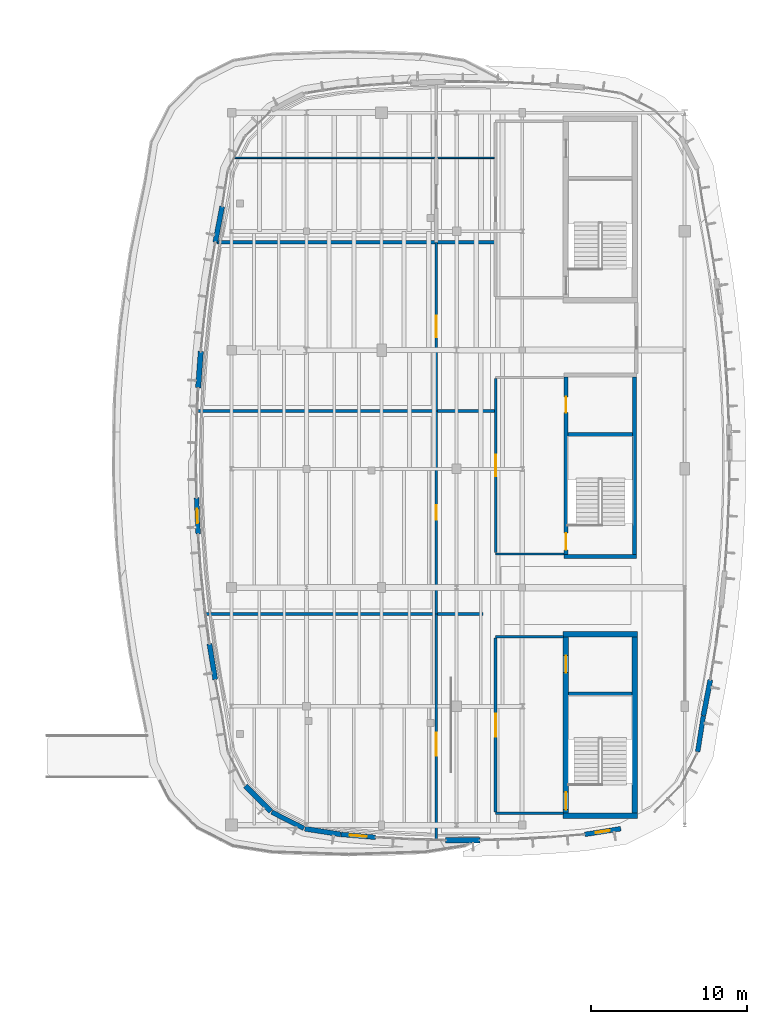
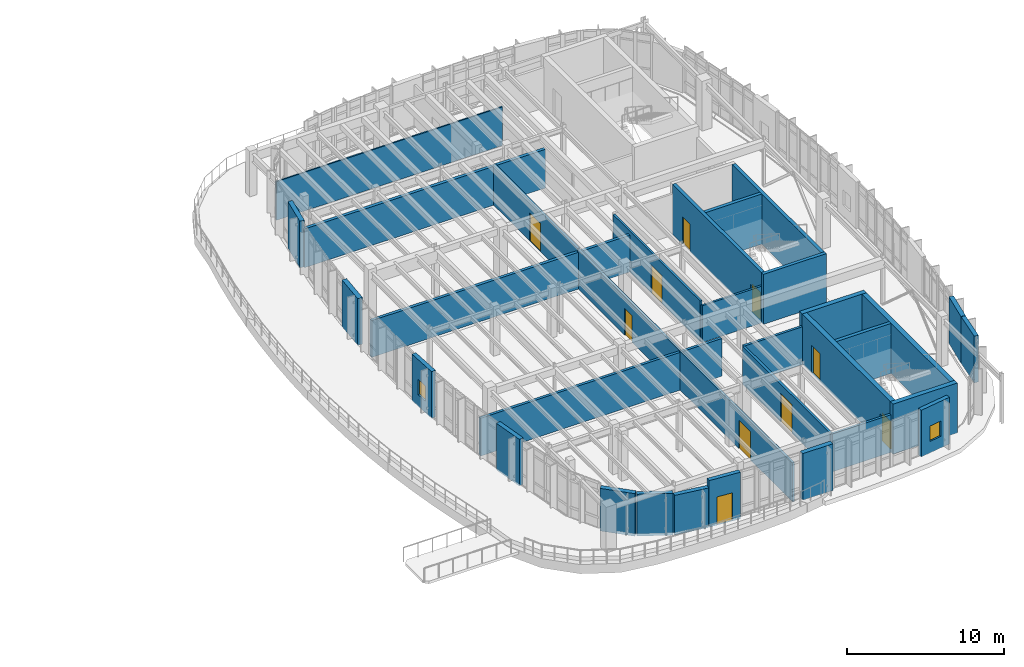
# One storey, part 86 of 105: 33 walls, 10 doors, 2 windows, 12 openings.
"""IFC4 building model written with IfcOpenShell, lengths in metres."""

from ifc_helpers import new_model, si_unit, direction, frame, frame_2d, origin, place, context, subcontext, project, spatial, rectangle, extrude, material, layer, layer_set, type_object, element, fill, save


model = new_model("IFC4")

# Units and contexts
model_context = context("Model", 3, precision=1e-05, world=origin(), true_north=direction((0.0, 1.0)))
body_context = subcontext(model_context, "Body", "Model", "MODEL_VIEW")
ifc_project = project(units=[si_unit("LENGTHUNIT", "METRE"), si_unit("AREAUNIT", "SQUARE_METRE"), si_unit("VOLUMEUNIT", "CUBIC_METRE"), si_unit("PLANEANGLEUNIT", "RADIAN"), si_unit("MASSUNIT", "GRAM", prefix="KILO")], contexts=[model_context])

# Site, building, storey
site_placement = place(None, origin())
site = spatial("IfcSite", under=ifc_project, at=site_placement, CompositionType="ELEMENT")
building_placement = place(site_placement, origin())
building = spatial("IfcBuilding", under=site, at=building_placement, Name="Corveleigh Park Community Centre", CompositionType="ELEMENT")
storey_placement = place(building_placement, frame((0.0, 0.0, 8.699951171875)))
storey = spatial("IfcBuildingStorey", under=building, at=storey_placement, Name="L02", CompositionType="ELEMENT", Elevation=8.699951171875)

# Wall, opening, door
ifc_material_1 = material(Name="Precast concrete C40/50", Category="concrete")
ifc_layer_1 = layer(ifc_material_1, 0.300048828125, Name="Precast concrete C40/50", Category="concrete")
ifc_layer_set_1 = layer_set([ifc_layer_1], Name="Precast concrete C40/50")
wall_type_1 = type_object("IfcWallType", Name="WL-EXT-300", PredefinedType="STANDARD", material=ifc_layer_set_1)
wall_1_placement = place(storey_placement, frame((148.614990234375, 57.81689453125, 0.0), z_axis=(0.0, 0.0, 1.0), x_axis=(-0.996596628366, 0.082432762475, 0.0)))
wall_1 = element("IfcWall", 1, at=wall_1_placement, inside=storey, type_object=wall_type_1, Name="V4 terrace wall", PredefinedType="STANDARD", context=body_context, shape_type="SweptSolid", body=[
    extrude(rectangle(XDim=2.20947265625, YDim=0.300048828125, at=frame_2d((1.104736328125, 0.0))), origin(), (0.0, 0.0, 1.0), 3.636962890625),
])
opening_1_placement = place(wall_1_placement, frame((0.554931640625, 0.0, 0.0)))
opening_1 = element("IfcOpeningElement", 2, at=opening_1_placement, cuts=wall_1, Name="Opening ED01", PredefinedType="OPENING", context=body_context, shape_type="SweptSolid", body=[
    extrude(rectangle(XDim=1.10009765625, YDim=2.199951171875, at=frame_2d((0.550048828125, 1.10009765625))), frame((0.0, 0.159912109375, 0.0), z_axis=(0.0, -1.0, 0.0), x_axis=(1.0, 0.0, 0.0)), (0.0, 0.0, 1.0), 0.320068359375),
])
ifc_material_2 = material(Name="Powder-coated aluminium glazed door", Category="aluminium")
door_type_1 = type_object("IfcDoorType", Name="DR-EXT-1100x2200", OperationType="NOTDEFINED", PredefinedType="DOOR", material=ifc_material_2)
door_1_placement = place(opening_1_placement, origin())
door_1 = element("IfcDoor", 3, at=door_1_placement, inside=storey, type_object=door_type_1, Name="Step 2 Library Reading Terrace access door", OperationType="SINGLE_SWING_LEFT", OverallHeight=2.199951171875, OverallWidth=1.10009765625, PredefinedType="DOOR", context=body_context, shape_type="SweptSolid", body=[
    extrude(rectangle(XDim=1.10009765625, YDim=2.199951171875, at=frame_2d((0.550048828125, 1.10009765625))), frame((0.0, 0.02490234375, 0.0), z_axis=(0.0, -1.0, 0.0), x_axis=(1.0, 0.0, 0.0)), (0.0, 0.0, 1.0), 0.050048828125),
])
fill(opening_1, door_1)

# Wall, opening, window
wall_2_placement = place(storey_placement, frame((164.31103515625, 58.365966796875, 0.0), z_axis=(0.0, 0.0, 1.0), x_axis=(-0.987686277286, -0.156447491706, 0.0)))
wall_2 = element("IfcWall", 4, at=wall_2_placement, inside=storey, type_object=wall_type_1, Name="V4 L02 Precast Facade Wall", PredefinedType="STANDARD", context=body_context, shape_type="SweptSolid", body=[
    extrude(rectangle(XDim=2.32666015625, YDim=0.300048828125, at=frame_2d((1.163330078125, 0.0))), origin(), (0.0, 0.0, 1.0), 3.64208984375),
])
opening_2_placement = place(wall_2_placement, frame((0.714111328125, 0.0, 0.89990234375)))
opening_2 = element("IfcOpeningElement", 5, at=opening_2_placement, cuts=wall_2, Name="Opening W01", PredefinedType="OPENING", context=body_context, shape_type="SweptSolid", body=[
    extrude(rectangle(XDim=0.89990234375, YDim=1.199951171875, at=frame_2d((0.449951171875, 0.60009765625))), frame((0.0, 0.159912109375, 0.0), z_axis=(0.0, -1.0, 0.0), x_axis=(1.0, 0.0, 0.0)), (0.0, 0.0, 1.0), 0.320068359375),
])
ifc_material_3 = material(Name="Low-E double glazing", Category="glass")
window_type = type_object("IfcWindowType", Name="WIN-EXT-0900x1200", PartitioningType="SINGLE_PANEL", PredefinedType="WINDOW", material=ifc_material_3)
window_1_placement = place(opening_2_placement, origin())
window_1 = element("IfcWindow", 6, at=window_1_placement, inside=storey, type_object=window_type, Name="V4 L02 Window 66", OverallHeight=1.199951171875, OverallWidth=0.89990234375, PartitioningType="SINGLE_PANEL", PredefinedType="WINDOW", context=body_context, shape_type="SweptSolid", body=[
    extrude(rectangle(XDim=0.89990234375, YDim=1.199951171875, at=frame_2d((0.449951171875, 0.60009765625))), frame((0.0, 0.030029296875, 0.0), z_axis=(0.0, -1.0, 0.0), x_axis=(1.0, 0.0, 0.0)), (0.0, 0.0, 1.0), 0.06005859375),
])
fill(opening_2, window_1)

# Wall
wall_3_placement = place(storey_placement, frame((169.59912109375, 65.591064453125, 0.0), z_axis=(0.0, 0.0, 1.0), x_axis=(-0.156699429579, -0.987646337901, 0.0)))
element("IfcWall", 7, at=wall_3_placement, inside=storey, type_object=wall_type_1, Name="V4 L02 Precast Facade Wall", PredefinedType="STANDARD", context=body_context, shape_type="SweptSolid", body=[
    extrude(rectangle(XDim=2.330810546875, YDim=0.300048828125, at=frame_2d((1.16552734375, 0.0))), origin(), (0.0, 0.0, 1.0), 3.64208984375),
])

# Wall, opening, window
wall_4_placement = place(storey_placement, frame((137.260009765625, 77.221923828125, 0.0), z_axis=(0.0, 0.0, 1.0), x_axis=(-0.044288887401, 0.999018765816, 0.0)))
wall_4 = element("IfcWall", 8, at=wall_4_placement, inside=storey, type_object=wall_type_1, Name="V4 L02 Precast Facade Wall", PredefinedType="STANDARD", context=body_context, shape_type="SweptSolid", body=[
    extrude(rectangle(XDim=2.326171875, YDim=0.300048828125, at=frame_2d((1.1630859375, 0.0))), origin(), (0.0, 0.0, 1.0), 3.636962890625),
])
opening_3_placement = place(wall_4_placement, frame((0.712890625, 0.0, 0.89990234375)))
opening_3 = element("IfcOpeningElement", 9, at=opening_3_placement, cuts=wall_4, Name="Opening W01", PredefinedType="OPENING", context=body_context, shape_type="SweptSolid", body=[
    extrude(rectangle(XDim=0.89990234375, YDim=1.199951171875, at=frame_2d((0.449951171875, 0.60009765625))), frame((0.0, 0.159912109375, 0.0), z_axis=(0.0, -1.0, 0.0), x_axis=(1.0, 0.0, 0.0)), (0.0, 0.0, 1.0), 0.320068359375),
])
window_2_placement = place(opening_3_placement, origin())
window_2 = element("IfcWindow", 10, at=window_2_placement, inside=storey, type_object=window_type, Name="V4 L02 Window 69", OverallHeight=1.199951171875, OverallWidth=0.89990234375, PartitioningType="SINGLE_PANEL", PredefinedType="WINDOW", context=body_context, shape_type="SweptSolid", body=[
    extrude(rectangle(XDim=0.89990234375, YDim=1.199951171875, at=frame_2d((0.449951171875, 0.60009765625))), frame((0.0, 0.030029296875, 0.0), z_axis=(0.0, -1.0, 0.0), x_axis=(1.0, 0.0, 0.0)), (0.0, 0.0, 1.0), 0.06005859375),
])
fill(opening_3, window_2)

# Walls
wall_5_placement = place(storey_placement, frame((144.01708984375, 58.388916015625, 0.0), z_axis=(0.0, 0.0, 1.0), x_axis=(-0.890898570716, 0.454202308114, 0.0)))
element("IfcWall", 11, at=wall_5_placement, inside=storey, type_object=wall_type_1, Name="V4 L02 Precast Facade Wall", PredefinedType="STANDARD", context=body_context, shape_type="SweptSolid", body=[
    extrude(rectangle(XDim=2.301025390625, YDim=0.300048828125, at=frame_2d((1.150390625, 0.0))), origin(), (0.0, 0.0, 1.0), 3.26904296875),
])
ifc_layer_2 = layer(ifc_material_1, 0.320068359375, Name="Precast concrete C40/50", Category="concrete")
ifc_layer_set_2 = layer_set([ifc_layer_2], Name="Precast concrete C40/50")
wall_type_2 = type_object("IfcWallType", Name="WL-EXT-320", PredefinedType="STANDARD", material=ifc_layer_set_2)
wall_6_placement = place(storey_placement, frame((170.0419921875, 67.89404296875, 0.0), z_axis=(0.0, 0.0, 1.0), x_axis=(-0.189049728803, -0.981967514758, 0.0)))
element("IfcWall", 12, at=wall_6_placement, inside=storey, type_object=wall_type_2, Name="V4 L02 Precast Facade Wall", PredefinedType="STANDARD", context=body_context, shape_type="SweptSolid", body=[
    extrude(rectangle(XDim=2.3271484375, YDim=0.320068359375, at=frame_2d((1.16357421875, 0.0))), origin(), (0.0, 0.0, 1.0), 3.64208984375),
])
wall_7_placement = place(storey_placement, frame((138.35791015625, 95.906005859375, 0.0), z_axis=(0.0, 0.0, 1.0), x_axis=(0.189170374732, 0.981944280152, 0.0)))
element("IfcWall", 13, at=wall_7_placement, inside=storey, type_object=wall_type_2, Name="V4 L02 Precast Facade Wall", PredefinedType="STANDARD", context=body_context, shape_type="SweptSolid", body=[
    extrude(rectangle(XDim=2.326904296875, YDim=0.320068359375, at=frame_2d((1.16357421875, 0.0))), origin(), (0.0, 0.0, 1.0), 3.636962890625),
])
wall_8_placement = place(storey_placement, frame((138.35498046875, 67.912109375, 0.0), z_axis=(0.0, 0.0, 1.0), x_axis=(-0.160789734482, 0.986988683464, 0.0)))
element("IfcWall", 14, at=wall_8_placement, inside=storey, type_object=wall_type_2, Name="V4 L02 Precast Facade Wall", PredefinedType="STANDARD", context=body_context, shape_type="SweptSolid", body=[
    extrude(rectangle(XDim=2.326171875, YDim=0.320068359375, at=frame_2d((1.1630859375, 0.0))), origin(), (0.0, 0.0, 1.0), 3.636962890625),
])
wall_9_placement = place(storey_placement, frame((146.386962890625, 58.001953125, 0.0), z_axis=(0.0, 0.0, 1.0), x_axis=(-0.987683708691, 0.156463706933, 0.0)))
element("IfcWall", 15, at=wall_9_placement, inside=storey, type_object=wall_type_2, Name="V4 L02 Precast Facade Wall", PredefinedType="STANDARD", context=body_context, shape_type="SweptSolid", body=[
    extrude(rectangle(XDim=2.326416015625, YDim=0.320068359375, at=frame_2d((1.1630859375, 0.0))), origin(), (0.0, 0.0, 1.0), 3.0849609375),
])
ifc_layer_3 = layer(ifc_material_1, 0.340087890625, Name="Precast concrete C40/50", Category="concrete")
ifc_layer_set_3 = layer_set([ifc_layer_3], Name="Precast concrete C40/50")
wall_type_3 = type_object("IfcWallType", Name="WL-EXT-340", PredefinedType="STANDARD", material=ifc_layer_set_3)
wall_10_placement = place(storey_placement, frame((155.306884765625, 57.631103515625, 0.0), z_axis=(0.0, 0.0, 1.0), x_axis=(-1.0, 0.0, 0.0)))
element("IfcWall", 16, at=wall_10_placement, inside=storey, type_object=wall_type_3, Name="V4 L02 Precast Facade Wall", PredefinedType="STANDARD", context=body_context, shape_type="SweptSolid", body=[
    extrude(rectangle(XDim=2.2138671875, YDim=0.340087890625, at=frame_2d((1.10693359375, 0.0))), origin(), (0.0, 0.0, 1.0), 3.636962890625),
])
wall_11_placement = place(storey_placement, frame((137.260986328125, 86.595947265625, 0.0), z_axis=(0.0, 0.0, 1.0), x_axis=(0.073013813712, 0.997330929535, 0.0)))
element("IfcWall", 17, at=wall_11_placement, inside=storey, type_object=wall_type_3, Name="V4 L02 Precast Facade Wall", PredefinedType="STANDARD", context=body_context, shape_type="SweptSolid", body=[
    extrude(rectangle(XDim=2.3271484375, YDim=0.340087890625, at=frame_2d((1.16357421875, 0.0))), origin(), (0.0, 0.0, 1.0), 3.636962890625),
])
wall_12_placement = place(storey_placement, frame((141.906005859375, 59.47802734375, 0.0), z_axis=(0.0, 0.0, 1.0), x_axis=(-0.707106781187, 0.707106781187, 0.0)))
element("IfcWall", 18, at=wall_12_placement, inside=storey, type_object=wall_type_3, Name="V4 L02 Precast Facade Wall", PredefinedType="STANDARD", context=body_context, shape_type="SweptSolid", body=[
    extrude(rectangle(XDim=2.30224609375, YDim=0.340087890625, at=frame_2d((1.151123046875, 0.0))), origin(), (0.0, 0.0, 1.0), 3.322021484375),
])
ifc_material_4 = material(Name="Gypsum acoustic stud partition", Category="gypsum")
ifc_layer_4 = layer(ifc_material_4, 0.10009765625, Name="Gypsum acoustic stud partition", Category="gypsum")
ifc_layer_set_4 = layer_set([ifc_layer_4], Name="Gypsum acoustic stud partition")
wall_type_4 = type_object("IfcWallType", Name="WL-PRT-100", PredefinedType="PARTITIONING", material=ifc_layer_set_4)
wall_13_placement = place(storey_placement, frame((139.553955078125, 101.300048828125, 0.0), z_axis=(0.0, 0.0, 1.0), x_axis=(1.0, 0.0, 0.0)))
element("IfcWall", 19, at=wall_13_placement, inside=storey, type_object=wall_type_4, Name="Library Staff Workroom partition", PredefinedType="PARTITIONING", context=body_context, shape_type="SweptSolid", body=[
    extrude(rectangle(XDim=16.66796875, YDim=0.10009765625, at=frame_2d((8.333984375, 0.0))), origin(), (0.0, 0.0, 1.0), 3.01708984375),
])
ifc_layer_5 = layer(ifc_material_4, 0.14990234375, Name="Gypsum acoustic stud partition", Category="gypsum")
ifc_layer_set_5 = layer_set([ifc_layer_5], Name="Gypsum acoustic stud partition")
wall_type_5 = type_object("IfcWallType", Name="WL-PRT-150", PredefinedType="PARTITIONING", material=ifc_layer_set_5)
wall_14_placement = place(storey_placement, frame((156.300048828125, 75.949951171875, 0.0), z_axis=(0.0, 0.0, 1.0), x_axis=(1.0, 0.0, 0.0)))
element("IfcWall", 20, at=wall_14_placement, inside=storey, type_object=wall_type_5, Name="CORE6 lobby south wall", PredefinedType="PARTITIONING", context=body_context, shape_type="SweptSolid", body=[
    extrude(rectangle(XDim=4.389892578125, YDim=0.14990234375, at=frame_2d((2.19482421875, 0.0))), origin(), (0.0, 0.0, 1.0), 2.8681640625),
])

# Wall, opening, door
wall_15_placement = place(storey_placement, frame((156.300048828125, 87.169921875, 0.0), z_axis=(0.0, 0.0, 1.0), x_axis=(0.0, -1.0, 0.0)))
wall_15 = element("IfcWall", 21, at=wall_15_placement, inside=storey, type_object=wall_type_5, Name="CORE6 lobby corridor wall", PredefinedType="PARTITIONING", context=body_context, shape_type="SweptSolid", body=[
    extrude(rectangle(XDim=11.139892578125, YDim=0.14990234375, at=frame_2d((5.56982421875, 0.0))), origin(), (0.0, 0.0, 1.0), 3.170166015625),
])
opening_4_placement = place(wall_15_placement, frame((4.8798828125, 0.0, 0.0)))
opening_4 = element("IfcOpeningElement", 22, at=opening_4_placement, cuts=wall_15, Name="Opening FD02", PredefinedType="OPENING", context=body_context, shape_type="SweptSolid", body=[
    extrude(rectangle(XDim=1.3798828125, YDim=2.199951171875, at=frame_2d((0.68994140625, 1.10009765625))), frame((0.0, 0.0849609375, 0.0), z_axis=(0.0, -1.0, 0.0), x_axis=(1.0, 0.0, 0.0)), (0.0, 0.0, 1.0), 0.169921875),
])
ifc_material_5 = material(Name="Hardwood acoustic door leaf", Category="wood")
door_type_2 = type_object("IfcDoorType", Name="DR-FIR-1380x2200", OperationType="DOUBLE_DOOR_SINGLE_SWING", PredefinedType="DOOR", material=ifc_material_5)
door_2_placement = place(opening_4_placement, origin())
door_2 = element("IfcDoor", 23, at=door_2_placement, inside=storey, type_object=door_type_2, Name="Lobby CORE6 corridor door L02", OperationType="DOUBLE_DOOR_SINGLE_SWING", OverallHeight=2.199951171875, OverallWidth=1.3798828125, PredefinedType="DOOR", context=body_context, shape_type="SweptSolid", body=[
    extrude(rectangle(XDim=1.3798828125, YDim=2.199951171875, at=frame_2d((0.68994140625, 1.10009765625))), frame((0.0, 0.02490234375, 0.0), z_axis=(0.0, -1.0, 0.0), x_axis=(1.0, 0.0, 0.0)), (0.0, 0.0, 1.0), 0.050048828125),
])
fill(opening_4, door_2)

wall_16_placement = place(storey_placement, frame((152.5, 72.10009765625, 0.0), z_axis=(0.0, 0.0, 1.0), x_axis=(0.0, -1.0, 0.0)))
wall_16 = element("IfcWall", 24, at=wall_16_placement, inside=storey, type_object=wall_type_5, Name="Community Library Reading Hall corridor wall", PredefinedType="PARTITIONING", context=body_context, shape_type="SweptSolid", body=[
    extrude(rectangle(XDim=14.453125, YDim=0.14990234375, at=frame_2d((7.2265625, 0.0))), origin(), (0.0, 0.0, 1.0), 3.01806640625),
])
opening_5_placement = place(wall_16_placement, frame((7.5859375, 0.0, 0.0)))
opening_5 = element("IfcOpeningElement", 25, at=opening_5_placement, cuts=wall_16, Name="Opening FD01", PredefinedType="OPENING", context=body_context, shape_type="SweptSolid", body=[
    extrude(rectangle(XDim=1.47998046875, YDim=2.219970703125, at=frame_2d((0.739990234375, 1.10986328125))), frame((0.0, 0.0849609375, 0.0), z_axis=(0.0, -1.0, 0.0), x_axis=(1.0, 0.0, 0.0)), (0.0, 0.0, 1.0), 0.169921875),
])
door_type_3 = type_object("IfcDoorType", Name="DR-FIR-1480x2220", OperationType="DOUBLE_DOOR_SINGLE_SWING", PredefinedType="DOOR", material=ifc_material_5)
door_3_placement = place(opening_5_placement, origin())
door_3 = element("IfcDoor", 26, at=door_3_placement, inside=storey, type_object=door_type_3, Name="Community Library Reading Hall door", OperationType="DOUBLE_DOOR_SINGLE_SWING", OverallHeight=2.219970703125, OverallWidth=1.47998046875, PredefinedType="DOOR", context=body_context, shape_type="SweptSolid", body=[
    extrude(rectangle(XDim=1.47998046875, YDim=2.219970703125, at=frame_2d((0.739990234375, 1.10986328125))), frame((0.0, 0.02490234375, 0.0), z_axis=(0.0, -1.0, 0.0), x_axis=(1.0, 0.0, 0.0)), (0.0, 0.0, 1.0), 0.050048828125),
])
fill(opening_5, door_3)

ifc_layer_6 = layer(ifc_material_4, 0.1650390625, Name="Gypsum acoustic stud partition", Category="gypsum")
ifc_layer_set_6 = layer_set([ifc_layer_6], Name="Gypsum acoustic stud partition")
wall_type_6 = type_object("IfcWallType", Name="WL-PRT-165", PredefinedType="PARTITIONING", material=ifc_layer_set_6)
wall_17_placement = place(storey_placement, frame((152.5, 85.10009765625, 0.0), z_axis=(0.0, 0.0, 1.0), x_axis=(0.0, -1.0, 0.0)))
wall_17 = element("IfcWall", 27, at=wall_17_placement, inside=storey, type_object=wall_type_6, Name="Children Storytelling Library corridor wall", PredefinedType="PARTITIONING", context=body_context, shape_type="SweptSolid", body=[
    extrude(rectangle(XDim=13.0, YDim=0.1650390625, at=frame_2d((6.5, 0.0))), origin(), (0.0, 0.0, 1.0), 3.030029296875),
])
opening_6_placement = place(wall_17_placement, frame((6.030029296875, 0.0, 0.0)))
opening_6 = element("IfcOpeningElement", 28, at=opening_6_placement, cuts=wall_17, Name="Opening FD09", PredefinedType="OPENING", context=body_context, shape_type="SweptSolid", body=[
    extrude(rectangle(XDim=0.93994140625, YDim=2.10009765625, at=frame_2d((0.469970703125, 1.050048828125))), frame((0.0, 0.092529296875, 0.0), z_axis=(0.0, -1.0, 0.0), x_axis=(1.0, 0.0, 0.0)), (0.0, 0.0, 1.0), 0.18505859375),
])
door_type_4 = type_object("IfcDoorType", Name="DR-FIR-0940x2100", OperationType="NOTDEFINED", PredefinedType="DOOR", material=ifc_material_5)
door_4_placement = place(opening_6_placement, origin())
door_4 = element("IfcDoor", 29, at=door_4_placement, inside=storey, type_object=door_type_4, Name="Children Storytelling Library door", OperationType="SINGLE_SWING_LEFT", OverallHeight=2.10009765625, OverallWidth=0.93994140625, PredefinedType="DOOR", context=body_context, shape_type="SweptSolid", body=[
    extrude(rectangle(XDim=0.93994140625, YDim=2.10009765625, at=frame_2d((0.469970703125, 1.050048828125))), frame((0.0, 0.02490234375, 0.0), z_axis=(0.0, -1.0, 0.0), x_axis=(1.0, 0.0, 0.0)), (0.0, 0.0, 1.0), 0.050048828125),
])
fill(opening_6, door_4)

# Walls
ifc_layer_7 = layer(ifc_material_4, 0.179931640625, Name="Gypsum acoustic stud partition", Category="gypsum")
ifc_layer_set_7 = layer_set([ifc_layer_7], Name="Gypsum acoustic stud partition")
wall_type_7 = type_object("IfcWallType", Name="WL-PRT-180", PredefinedType="PARTITIONING", material=ifc_layer_set_7)
wall_18_placement = place(storey_placement, frame((156.300048828125, 59.35009765625, 0.0), z_axis=(0.0, 0.0, 1.0), x_axis=(1.0, 0.0, 0.0)))
element("IfcWall", 30, at=wall_18_placement, inside=storey, type_object=wall_type_7, Name="CORE1 lobby south wall", PredefinedType="PARTITIONING", context=body_context, shape_type="SweptSolid", body=[
    extrude(rectangle(XDim=4.33984375, YDim=0.179931640625, at=frame_2d((2.169921875, 0.0))), origin(), (0.0, 0.0, 1.0), 2.947021484375),
])
wall_19_placement = place(storey_placement, frame((160.639892578125, 70.64990234375, 0.0), z_axis=(0.0, 0.0, 1.0), x_axis=(-1.0, 0.0, 0.0)))
element("IfcWall", 31, at=wall_19_placement, inside=storey, type_object=wall_type_7, Name="CORE1 lobby north wall", PredefinedType="PARTITIONING", context=body_context, shape_type="SweptSolid", body=[
    extrude(rectangle(XDim=4.33984375, YDim=0.179931640625, at=frame_2d((2.169921875, 0.0))), origin(), (0.0, 0.0, 1.0), 2.943115234375),
])

# Wall, opening, door
wall_20_placement = place(storey_placement, frame((156.300048828125, 70.570068359375, 0.0), z_axis=(0.0, 0.0, 1.0), x_axis=(0.0, -1.0, 0.0)))
wall_20 = element("IfcWall", 32, at=wall_20_placement, inside=storey, type_object=wall_type_7, Name="CORE1 lobby corridor wall", PredefinedType="PARTITIONING", context=body_context, shape_type="SweptSolid", body=[
    extrude(rectangle(XDim=11.14013671875, YDim=0.179931640625, at=frame_2d((5.570068359375, 0.0))), origin(), (0.0, 0.0, 1.0), 2.947021484375),
])
opening_7_placement = place(wall_20_placement, frame((4.830078125, 0.0, 0.0)))
opening_7 = element("IfcOpeningElement", 33, at=opening_7_placement, cuts=wall_20, Name="Opening FD01", PredefinedType="OPENING", context=body_context, shape_type="SweptSolid", body=[
    extrude(rectangle(XDim=1.47998046875, YDim=2.219970703125, at=frame_2d((0.739990234375, 1.10986328125))), frame((0.0, 0.099853515625, 0.0), z_axis=(0.0, -1.0, 0.0), x_axis=(1.0, 0.0, 0.0)), (0.0, 0.0, 1.0), 0.199951171875),
])
door_5_placement = place(opening_7_placement, origin())
door_5 = element("IfcDoor", 34, at=door_5_placement, inside=storey, type_object=door_type_3, Name="Lobby CORE1 corridor door L02", OperationType="DOUBLE_DOOR_SINGLE_SWING", OverallHeight=2.219970703125, OverallWidth=1.47998046875, PredefinedType="DOOR", context=body_context, shape_type="SweptSolid", body=[
    extrude(rectangle(XDim=1.47998046875, YDim=2.219970703125, at=frame_2d((0.739990234375, 1.10986328125))), frame((0.0, 0.02490234375, 0.0), z_axis=(0.0, -1.0, 0.0), x_axis=(1.0, 0.0, 0.0)), (0.0, 0.0, 1.0), 0.050048828125),
])
fill(opening_7, door_5)

wall_21_placement = place(storey_placement, frame((152.5, 95.89990234375, 0.0), z_axis=(0.0, 0.0, 1.0), x_axis=(0.0, -1.0, 0.0)))
wall_21 = element("IfcWall", 35, at=wall_21_placement, inside=storey, type_object=wall_type_7, Name="Local History Archive and Study corridor wall", PredefinedType="PARTITIONING", context=body_context, shape_type="SweptSolid", body=[
    extrude(rectangle(XDim=10.7998046875, YDim=0.179931640625, at=frame_2d((5.39990234375, 0.0))), origin(), (0.0, 0.0, 1.0), 3.10498046875),
])
opening_8_placement = place(wall_21_placement, frame((4.7099609375, 0.0, 0.0)))
opening_8 = element("IfcOpeningElement", 36, at=opening_8_placement, cuts=wall_21, Name="Opening FD02", PredefinedType="OPENING", context=body_context, shape_type="SweptSolid", body=[
    extrude(rectangle(XDim=1.3798828125, YDim=2.199951171875, at=frame_2d((0.68994140625, 1.10009765625))), frame((0.0, 0.099853515625, 0.0), z_axis=(0.0, -1.0, 0.0), x_axis=(1.0, 0.0, 0.0)), (0.0, 0.0, 1.0), 0.199951171875),
])
door_6_placement = place(opening_8_placement, origin())
door_6 = element("IfcDoor", 37, at=door_6_placement, inside=storey, type_object=door_type_2, Name="Local History Archive and Study door", OperationType="DOUBLE_DOOR_SINGLE_SWING", OverallHeight=2.199951171875, OverallWidth=1.3798828125, PredefinedType="DOOR", context=body_context, shape_type="SweptSolid", body=[
    extrude(rectangle(XDim=1.3798828125, YDim=2.199951171875, at=frame_2d((0.68994140625, 1.10009765625))), frame((0.0, 0.02490234375, 0.0), z_axis=(0.0, -1.0, 0.0), x_axis=(1.0, 0.0, 0.0)), (0.0, 0.0, 1.0), 0.050048828125),
])
fill(opening_8, door_6)

# Walls
ifc_material_6 = material(Name="Masonry blockwork 7.3 MPa", Category="masonry")
ifc_layer_8 = layer(ifc_material_6, 0.195068359375, Name="Masonry blockwork 7.3 MPa", Category="masonry")
ifc_layer_set_8 = layer_set([ifc_layer_8], Name="Masonry blockwork 7.3 MPa")
wall_type_8 = type_object("IfcWallType", Name="WL-PRT-195", PredefinedType="PARTITIONING", material=ifc_layer_set_8)
wall_22_placement = place(storey_placement, frame((137.72998046875, 72.10009765625, 0.0), z_axis=(0.0, 0.0, 1.0), x_axis=(1.0, 0.0, 0.0)))
element("IfcWall", 38, at=wall_22_placement, inside=storey, type_object=wall_type_8, Name="Community Library Reading Hall partition", PredefinedType="PARTITIONING", context=body_context, shape_type="SweptSolid", body=[
    extrude(rectangle(XDim=17.77001953125, YDim=0.195068359375, at=frame_2d((8.885009765625, 0.0))), origin(), (0.0, 0.0, 1.0), 2.947021484375),
])
ifc_layer_9 = layer(ifc_material_6, 0.215087890625, Name="Masonry blockwork 7.3 MPa", Category="masonry")
ifc_layer_set_9 = layer_set([ifc_layer_9], Name="Masonry blockwork 7.3 MPa")
wall_type_9 = type_object("IfcWallType", Name="WL-PRT-215", PredefinedType="PARTITIONING", material=ifc_layer_set_9)
wall_23_placement = place(storey_placement, frame((137.194091796875, 85.10009765625, 0.0), z_axis=(0.0, 0.0, 1.0), x_axis=(1.0, 0.0, 0.0)))
element("IfcWall", 39, at=wall_23_placement, inside=storey, type_object=wall_type_9, Name="Children Storytelling Library partition", PredefinedType="PARTITIONING", context=body_context, shape_type="SweptSolid", body=[
    extrude(rectangle(XDim=19.04296875, YDim=0.215087890625, at=frame_2d((9.521484375, 0.0))), origin(), (0.0, 0.0, 1.0), 2.8681640625),
])
ifc_layer_10 = layer(ifc_material_6, 0.22998046875, Name="Masonry blockwork 7.3 MPa", Category="masonry")
ifc_layer_set_10 = layer_set([ifc_layer_10], Name="Masonry blockwork 7.3 MPa")
wall_type_10 = type_object("IfcWallType", Name="WL-PRT-230", PredefinedType="PARTITIONING", material=ifc_layer_set_10)
wall_24_placement = place(storey_placement, frame((138.4580078125, 95.89990234375, 0.0), z_axis=(0.0, 0.0, 1.0), x_axis=(1.0, 0.0, 0.0)))
element("IfcWall", 40, at=wall_24_placement, inside=storey, type_object=wall_type_10, Name="Local History Archive and Study partition", PredefinedType="PARTITIONING", context=body_context, shape_type="SweptSolid", body=[
    extrude(rectangle(XDim=17.763916015625, YDim=0.22998046875, at=frame_2d((8.8818359375, 0.0))), origin(), (0.0, 0.0, 1.0), 3.02197265625),
])
ifc_material_7 = material(Name="Concrete C40/50", Category="concrete")
ifc_layer_11 = layer(ifc_material_7, 0.25, Name="Concrete C40/50", Category="concrete")
ifc_layer_set_11 = layer_set([ifc_layer_11], Name="Concrete C40/50")
wall_type_11 = type_object("IfcWallType", Name="WL-SHR-250", PredefinedType="SHEAR", material=ifc_layer_set_11)
wall_25_placement = place(storey_placement, frame((160.97509765625, 67.0, 0.0), z_axis=(0.0, 0.0, 1.0), x_axis=(1.0, 0.0, 0.0)))
element("IfcWall", 41, at=wall_25_placement, inside=storey, type_object=wall_type_11, Name="CORE1 shaft wall", PredefinedType="SHEAR", context=body_context, shape_type="SweptSolid", body=[
    extrude(rectangle(XDim=4.0498046875, YDim=0.25, at=frame_2d((2.02490234375, 0.0))), origin(), (0.0, 0.0, 1.0), 3.900146484375),
])
wall_26_placement = place(storey_placement, frame((160.675048828125, 75.800048828125, 0.0), z_axis=(0.0, 0.0, 1.0), x_axis=(1.0, 0.0, 0.0)))
element("IfcWall", 42, at=wall_26_placement, inside=storey, type_object=wall_type_11, Name="CORE6 south shear wall", PredefinedType="SHEAR", context=body_context, shape_type="SweptSolid", body=[
    extrude(rectangle(XDim=4.64990234375, YDim=0.25, at=frame_2d((2.324951171875, 0.0))), origin(), (0.0, 0.0, 1.0), 3.900146484375),
])
wall_27_placement = place(storey_placement, frame((165.199951171875, 75.925048828125, 0.0), z_axis=(0.0, 0.0, 1.0), x_axis=(0.0, 1.0, 0.0)))
element("IfcWall", 43, at=wall_27_placement, inside=storey, type_object=wall_type_11, Name="CORE6 east shear wall", PredefinedType="SHEAR", context=body_context, shape_type="SweptSolid", body=[
    extrude(rectangle(XDim=11.349853515625, YDim=0.25, at=frame_2d((5.6748046875, 0.0))), origin(), (0.0, 0.0, 1.0), 3.900146484375),
])

# Wall, openings, doors
wall_28_placement = place(storey_placement, frame((160.800048828125, 87.27490234375, 0.0), z_axis=(0.0, 0.0, 1.0), x_axis=(0.0, -1.0, 0.0)))
wall_28 = element("IfcWall", 44, at=wall_28_placement, inside=storey, type_object=wall_type_11, Name="CORE6 west lobby wall", PredefinedType="SHEAR", context=body_context, shape_type="SweptSolid", body=[
    extrude(rectangle(XDim=11.349853515625, YDim=0.25, at=frame_2d((5.6748046875, 0.0))), origin(), (0.0, 0.0, 1.0), 3.900146484375),
])
opening_9_placement = place(wall_28_placement, frame((1.27490234375, 0.0, 0.0)))
opening_9 = element("IfcOpeningElement", 45, at=opening_9_placement, cuts=wall_28, Name="Opening LD02", PredefinedType="OPENING", context=body_context, shape_type="SweptSolid", body=[
    extrude(rectangle(XDim=1.0, YDim=2.14990234375, at=frame_2d((0.5, 1.074951171875))), frame((0.0, 0.135009765625, 0.0), z_axis=(0.0, -1.0, 0.0), x_axis=(1.0, 0.0, 0.0)), (0.0, 0.0, 1.0), 0.27001953125),
])
opening_10_placement = place(wall_28_placement, frame((9.9951171875, 0.0, 0.0)))
opening_10 = element("IfcOpeningElement", 46, at=opening_10_placement, cuts=wall_28, Name="Opening FD04", PredefinedType="OPENING", context=body_context, shape_type="SweptSolid", body=[
    extrude(rectangle(XDim=1.06005859375, YDim=2.14990234375, at=frame_2d((0.530029296875, 1.074951171875))), frame((0.0, 0.135009765625, 0.0), z_axis=(0.0, -1.0, 0.0), x_axis=(1.0, 0.0, 0.0)), (0.0, 0.0, 1.0), 0.27001953125),
])
door_type_5 = type_object("IfcDoorType", Name="DR-FIR-1060x2150", OperationType="NOTDEFINED", PredefinedType="DOOR", material=ifc_material_5)
door_7_placement = place(opening_10_placement, origin())
door_7 = element("IfcDoor", 47, at=door_7_placement, inside=storey, type_object=door_type_5, Name="Stair ST6 fire door L02", OperationType="SINGLE_SWING_RIGHT", OverallHeight=2.14990234375, OverallWidth=1.06005859375, PredefinedType="DOOR", context=body_context, shape_type="SweptSolid", body=[
    extrude(rectangle(XDim=1.06005859375, YDim=2.14990234375, at=frame_2d((0.530029296875, 1.074951171875))), frame((0.0, 0.02490234375, 0.0), z_axis=(0.0, -1.0, 0.0), x_axis=(1.0, 0.0, 0.0)), (0.0, 0.0, 1.0), 0.050048828125),
])
fill(opening_10, door_7)
ifc_material_8 = material(Name="Brushed stainless steel lift car", Category="steel")
door_type_6 = type_object("IfcDoorType", Name="DR-LFT-1000x2150", OperationType="SLIDING_TO_LEFT", PredefinedType="DOOR", material=ifc_material_8)
door_8_placement = place(opening_9_placement, origin())
door_8 = element("IfcDoor", 48, at=door_8_placement, inside=storey, type_object=door_type_6, Name="Lift PL2 landing door L02", OperationType="SLIDING_TO_LEFT", OverallHeight=2.14990234375, OverallWidth=1.0, PredefinedType="DOOR", context=body_context, shape_type="SweptSolid", body=[
    extrude(rectangle(XDim=1.0, YDim=2.14990234375, at=frame_2d((0.5, 1.074951171875))), frame((0.0, 0.02490234375, 0.0), z_axis=(0.0, -1.0, 0.0), x_axis=(1.0, 0.0, 0.0)), (0.0, 0.0, 1.0), 0.050048828125),
])
fill(opening_9, door_8)

# Walls
wall_29_placement = place(storey_placement, frame((160.925048828125, 83.60009765625, 0.0), z_axis=(0.0, 0.0, 1.0), x_axis=(1.0, 0.0, 0.0)))
element("IfcWall", 49, at=wall_29_placement, inside=storey, type_object=wall_type_11, Name="CORE6 shaft wall", PredefinedType="SHEAR", context=body_context, shape_type="SweptSolid", body=[
    extrude(rectangle(XDim=4.14990234375, YDim=0.25, at=frame_2d((2.074951171875, 0.0))), origin(), (0.0, 0.0, 1.0), 3.900146484375),
])
ifc_layer_12 = layer(ifc_material_7, 0.35009765625, Name="Concrete C40/50", Category="concrete")
ifc_layer_set_12 = layer_set([ifc_layer_12], Name="Concrete C40/50")
wall_type_12 = type_object("IfcWallType", Name="WL-SHR-350", PredefinedType="SHEAR", material=ifc_layer_set_12)
wall_30_placement = place(storey_placement, frame((160.625, 59.199951171875, 0.0), z_axis=(0.0, 0.0, 1.0), x_axis=(1.0, 0.0, 0.0)))
element("IfcWall", 50, at=wall_30_placement, inside=storey, type_object=wall_type_12, Name="CORE1 south shear wall", PredefinedType="SHEAR", context=body_context, shape_type="SweptSolid", body=[
    extrude(rectangle(XDim=4.75, YDim=0.35009765625, at=frame_2d((2.375, 0.0))), origin(), (0.0, 0.0, 1.0), 3.900146484375),
])
wall_31_placement = place(storey_placement, frame((165.199951171875, 59.375, 0.0), z_axis=(0.0, 0.0, 1.0), x_axis=(0.0, 1.0, 0.0)))
element("IfcWall", 51, at=wall_31_placement, inside=storey, type_object=wall_type_12, Name="CORE1 east shear wall", PredefinedType="SHEAR", context=body_context, shape_type="SweptSolid", body=[
    extrude(rectangle(XDim=11.25, YDim=0.35009765625, at=frame_2d((5.625, 0.0))), origin(), (0.0, 0.0, 1.0), 3.900146484375),
])
wall_32_placement = place(storey_placement, frame((165.375, 70.800048828125, 0.0), z_axis=(0.0, 0.0, 1.0), x_axis=(-1.0, 0.0, 0.0)))
element("IfcWall", 52, at=wall_32_placement, inside=storey, type_object=wall_type_12, Name="CORE1 north shear wall", PredefinedType="SHEAR", context=body_context, shape_type="SweptSolid", body=[
    extrude(rectangle(XDim=4.75, YDim=0.35009765625, at=frame_2d((2.375, 0.0))), origin(), (0.0, 0.0, 1.0), 3.900146484375),
])

# Wall, openings, doors
wall_33_placement = place(storey_placement, frame((160.800048828125, 70.625, 0.0), z_axis=(0.0, 0.0, 1.0), x_axis=(0.0, -1.0, 0.0)))
wall_33 = element("IfcWall", 53, at=wall_33_placement, inside=storey, type_object=wall_type_12, Name="CORE1 west lobby wall", PredefinedType="SHEAR", context=body_context, shape_type="SweptSolid", body=[
    extrude(rectangle(XDim=11.25, YDim=0.35009765625, at=frame_2d((5.625, 0.0))), origin(), (0.0, 0.0, 1.0), 3.900146484375),
])
opening_11_placement = place(wall_33_placement, frame((1.175048828125, 0.0, 0.0)))
opening_11 = element("IfcOpeningElement", 54, at=opening_11_placement, cuts=wall_33, Name="Opening LD01", PredefinedType="OPENING", context=body_context, shape_type="SweptSolid", body=[
    extrude(rectangle(XDim=1.10009765625, YDim=2.199951171875, at=frame_2d((0.550048828125, 1.10009765625))), frame((0.0, 0.18505859375, 0.0), z_axis=(0.0, -1.0, 0.0), x_axis=(1.0, 0.0, 0.0)), (0.0, 0.0, 1.0), 0.3701171875),
])
opening_12_placement = place(wall_33_placement, frame((9.9150390625, 0.0, 0.0)))
opening_12 = element("IfcOpeningElement", 55, at=opening_12_placement, cuts=wall_33, Name="Opening FD03", PredefinedType="OPENING", context=body_context, shape_type="SweptSolid", body=[
    extrude(rectangle(XDim=1.1201171875, YDim=2.159912109375, at=frame_2d((0.56005859375, 1.080078125))), frame((0.0, 0.18505859375, 0.0), z_axis=(0.0, -1.0, 0.0), x_axis=(1.0, 0.0, 0.0)), (0.0, 0.0, 1.0), 0.3701171875),
])
door_type_7 = type_object("IfcDoorType", Name="DR-FIR-1120x2160", OperationType="NOTDEFINED", PredefinedType="DOOR", material=ifc_material_5)
door_9_placement = place(opening_12_placement, origin())
door_9 = element("IfcDoor", 56, at=door_9_placement, inside=storey, type_object=door_type_7, Name="Stair ST1 fire door L02", OperationType="SINGLE_SWING_RIGHT", OverallHeight=2.159912109375, OverallWidth=1.1201171875, PredefinedType="DOOR", context=body_context, shape_type="SweptSolid", body=[
    extrude(rectangle(XDim=1.1201171875, YDim=2.159912109375, at=frame_2d((0.56005859375, 1.080078125))), frame((0.0, 0.02490234375, 0.0), z_axis=(0.0, -1.0, 0.0), x_axis=(1.0, 0.0, 0.0)), (0.0, 0.0, 1.0), 0.050048828125),
])
fill(opening_12, door_9)
door_type_8 = type_object("IfcDoorType", Name="DR-LFT-1100x2200", OperationType="DOUBLE_DOOR_SLIDING", PredefinedType="DOOR", material=ifc_material_8)
door_10_placement = place(opening_11_placement, origin())
door_10 = element("IfcDoor", 57, at=door_10_placement, inside=storey, type_object=door_type_8, Name="Lift FL1 landing door L02", OperationType="DOUBLE_DOOR_SLIDING", OverallHeight=2.199951171875, OverallWidth=1.10009765625, PredefinedType="DOOR", context=body_context, shape_type="SweptSolid", body=[
    extrude(rectangle(XDim=1.10009765625, YDim=2.199951171875, at=frame_2d((0.550048828125, 1.10009765625))), frame((0.0, 0.02490234375, 0.0), z_axis=(0.0, -1.0, 0.0), x_axis=(1.0, 0.0, 0.0)), (0.0, 0.0, 1.0), 0.050048828125),
])
fill(opening_11, door_10)

save(model, "model.ifc")
